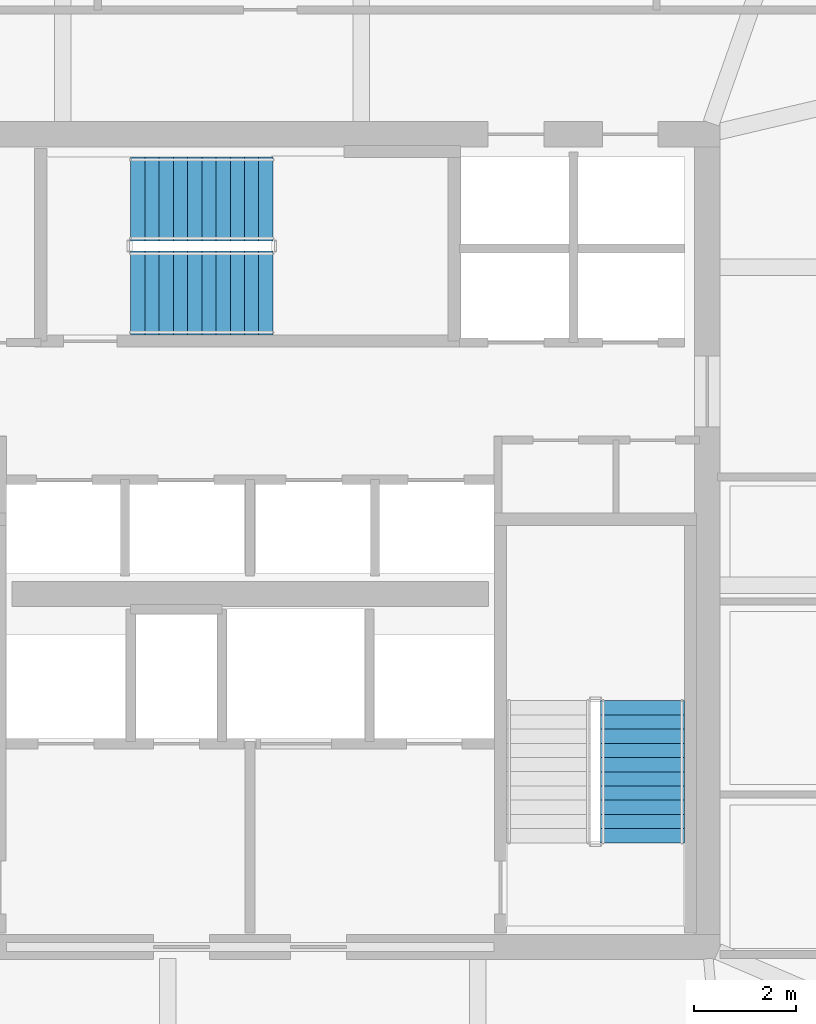
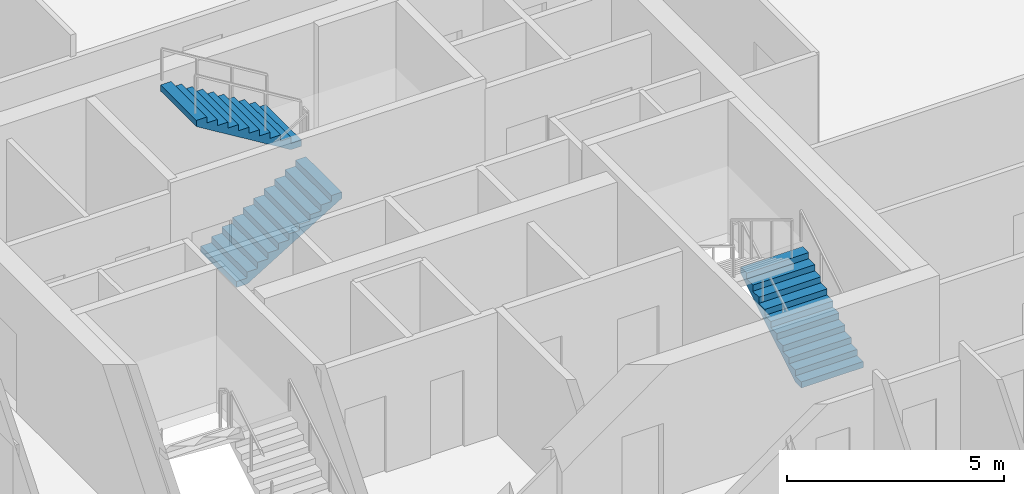
# One storey, part 24 of 28: 3 stair flights, 2 elements without a shape of their own.
"""IFC4 building model written with IfcOpenShell, lengths in metres."""

from ifc_helpers import new_model, si_unit, direction, frame, origin, place, context, subcontext, project, spatial, polyline, outline, extrude, material, type_object, element, aggregate, save


model = new_model("IFC4")

# Units and contexts
model_context = context("Model", 3, precision=1e-05, world=origin(), true_north=direction((0.0, 1.0)))
body_context = subcontext(model_context, "Body", "Model", "MODEL_VIEW")
ifc_project = project(units=[si_unit("LENGTHUNIT", "METRE"), si_unit("AREAUNIT", "SQUARE_METRE"), si_unit("VOLUMEUNIT", "CUBIC_METRE"), si_unit("PLANEANGLEUNIT", "RADIAN"), si_unit("MASSUNIT", "GRAM", prefix="KILO")], contexts=[model_context])

# Site, building, storey
site_placement = place(None, origin())
site = spatial("IfcSite", under=ifc_project, at=site_placement, CompositionType="ELEMENT")
building_placement = place(site_placement, origin())
building = spatial("IfcBuilding", under=site, at=building_placement, Name="Haldenkirk Collegiate Tower", CompositionType="ELEMENT")
storey_placement = place(building_placement, frame((0.0, 0.0, 224.699951171875)))
storey = spatial("IfcBuildingStorey", under=building, at=storey_placement, Name="L56", CompositionType="ELEMENT", Elevation=224.699951171875)

# Stair, stair flight
ifc_material = material(Name="Concrete f'c 40 MPa", Category="concrete")
stair_type = type_object("IfcStairType", Name="STR-DOGLEG-1650", PredefinedType="HALF_TURN_STAIR", material=ifc_material)
stair_1_placement = place(storey_placement, origin())
stair_1 = element("IfcStair", 1, at=stair_1_placement, inside=storey, type_object=stair_type, Name="L56 Core Exit Stair ST-2", PredefinedType="HALF_TURN_STAIR")
stair_flight_type = type_object("IfcStairFlightType", Name="STF-FLIGHT-1650", PredefinedType="STRAIGHT", material=ifc_material)
stair_flight_1_placement = place(storey_placement, frame((43.72509765625, 20.050048828125, 0.0), z_axis=(0.0, 0.0, 1.0), x_axis=(0.0, 1.0, 0.0)))
stair_flight_1 = element("IfcStairFlight", 2, at=stair_flight_1_placement, type_object=stair_flight_type, Name="ST-2 flight 1", NumberOfRisers=11, NumberOfTreads=10, PredefinedType="STRAIGHT", RiserHeight=0.170454545, TreadLength=0.28, context=body_context, shape_type="SweptSolid", body=[
    extrude(outline(polyline([(0.0, 0.0), (0.0, 0.17041015625), (0.280029296875, 0.17041015625), (0.280029296875, 0.3408203125), (0.56005859375, 0.3408203125), (0.56005859375, 0.511474609375), (0.840087890625, 0.511474609375), (0.840087890625, 0.681884765625), (1.1201171875, 0.681884765625), (1.1201171875, 0.852294921875), (1.39990234375, 0.852294921875), (1.39990234375, 1.022705078125), (1.679931640625, 1.022705078125), (1.679931640625, 1.193115234375), (1.9599609375, 1.193115234375), (1.9599609375, 1.363525390625), (2.239990234375, 1.363525390625), (2.239990234375, 1.5341796875), (2.52001953125, 1.5341796875), (2.52001953125, 1.70458984375), (2.800048828125, 1.70458984375), (2.800048828125, 1.875), (2.800048828125, 1.529052734375), (0.288330078125, 0.0), (0.0, 0.0)])), frame((0.0, 0.824951171875, 0.0), z_axis=(0.0, -1.0, 0.0), x_axis=(1.0, 0.0, 0.0)), (0.0, 0.0, 1.0), 1.64990234375),
])
aggregate(stair_1, [stair_flight_1])

# Stair, stair flights
stair_2_placement = place(storey_placement, origin())
stair_2 = element("IfcStair", 3, at=stair_2_placement, inside=storey, type_object=stair_type, Name="L56 Core Exit Stair ST-3", PredefinedType="HALF_TURN_STAIR")
stair_flight_2_placement = place(storey_placement, frame((33.64990234375, 30.875, 0.0), z_axis=(0.0, 0.0, 1.0), x_axis=(1.0, 0.0, 0.0)))
stair_flight_2 = element("IfcStairFlight", 4, at=stair_flight_2_placement, type_object=stair_flight_type, Name="ST-3 flight 1", NumberOfRisers=11, NumberOfTreads=10, PredefinedType="STRAIGHT", RiserHeight=0.170454545, TreadLength=0.28, context=body_context, shape_type="SweptSolid", body=[
    extrude(outline(polyline([(0.0, 0.0), (0.0, 0.17041015625), (0.280029296875, 0.17041015625), (0.280029296875, 0.3408203125), (0.56005859375, 0.3408203125), (0.56005859375, 0.511474609375), (0.840087890625, 0.511474609375), (0.840087890625, 0.681884765625), (1.1201171875, 0.681884765625), (1.1201171875, 0.852294921875), (1.39990234375, 0.852294921875), (1.39990234375, 1.022705078125), (1.679931640625, 1.022705078125), (1.679931640625, 1.193115234375), (1.9599609375, 1.193115234375), (1.9599609375, 1.363525390625), (2.239990234375, 1.363525390625), (2.239990234375, 1.5341796875), (2.52001953125, 1.5341796875), (2.52001953125, 1.70458984375), (2.800048828125, 1.70458984375), (2.800048828125, 1.875), (2.800048828125, 1.529052734375), (0.288330078125, 0.0), (0.0, 0.0)])), frame((0.0, 0.824951171875, 0.0), z_axis=(0.0, -1.0, 0.0), x_axis=(1.0, 0.0, 0.0)), (0.0, 0.0, 1.0), 1.64990234375),
])
stair_flight_3_placement = place(storey_placement, frame((36.449951171875, 32.72509765625, 1.875), z_axis=(0.0, 0.0, 1.0), x_axis=(-1.0, 0.0, 0.0)))
stair_flight_3 = element("IfcStairFlight", 5, at=stair_flight_3_placement, type_object=stair_flight_type, Name="ST-3 flight 2", NumberOfRisers=11, NumberOfTreads=10, PredefinedType="STRAIGHT", RiserHeight=0.170454545, TreadLength=0.28, context=body_context, shape_type="SweptSolid", body=[
    extrude(outline(polyline([(0.0, 0.0), (0.0, 0.17041015625), (0.280029296875, 0.17041015625), (0.280029296875, 0.3408203125), (0.56005859375, 0.3408203125), (0.56005859375, 0.511474609375), (0.840087890625, 0.511474609375), (0.840087890625, 0.681884765625), (1.1201171875, 0.681884765625), (1.1201171875, 0.852294921875), (1.39990234375, 0.852294921875), (1.39990234375, 1.022705078125), (1.679931640625, 1.022705078125), (1.679931640625, 1.193115234375), (1.9599609375, 1.193115234375), (1.9599609375, 1.363525390625), (2.239990234375, 1.363525390625), (2.239990234375, 1.5341796875), (2.52001953125, 1.5341796875), (2.52001953125, 1.70458984375), (2.800048828125, 1.70458984375), (2.800048828125, 1.875), (2.800048828125, 1.529052734375), (0.288330078125, 0.0), (0.0, 0.0)])), frame((0.0, 0.824951171875, 0.0), z_axis=(0.0, -1.0, 0.0), x_axis=(1.0, 0.0, 0.0)), (0.0, 0.0, 1.0), 1.64990234375),
])
aggregate(stair_2, [stair_flight_2, stair_flight_3])

save(model, "model.ifc")
